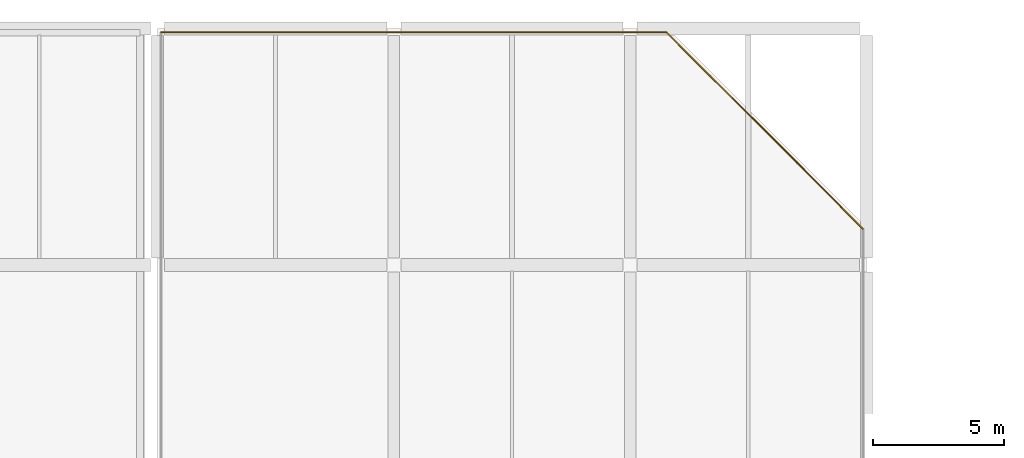
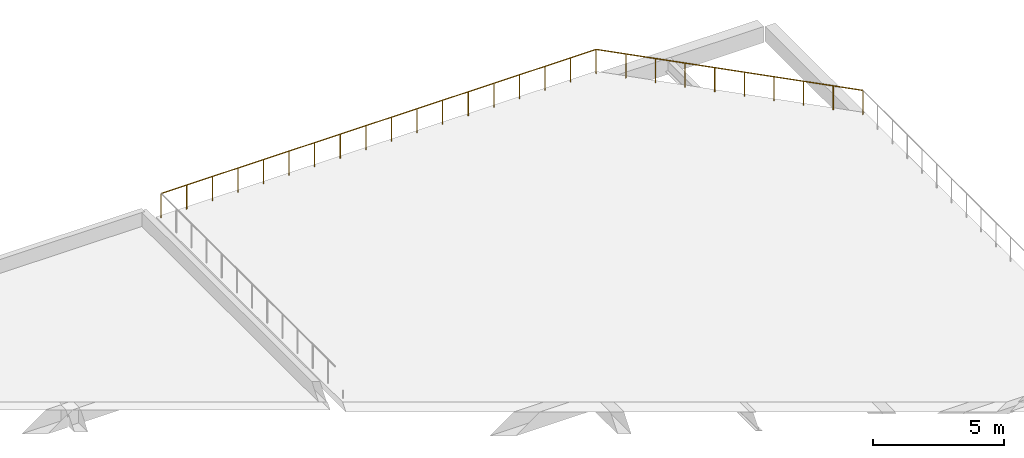
# One storey, part 82 of 82: 2 railings.
"""IFC4 building model written with IfcOpenShell, lengths in metres."""

from ifc_helpers import new_model, si_unit, direction, frame, origin, origin_2d, place, context, subcontext, project, spatial, circle, extrude, material, type_object, element, save


model = new_model("IFC4")

# Units and contexts
model_context = context("Model", 3, precision=1e-05, world=origin(), true_north=direction((0.0, 1.0)))
body_context = subcontext(model_context, "Body", "Model", "MODEL_VIEW")
ifc_project = project(units=[si_unit("LENGTHUNIT", "METRE"), si_unit("AREAUNIT", "SQUARE_METRE"), si_unit("VOLUMEUNIT", "CUBIC_METRE"), si_unit("PLANEANGLEUNIT", "RADIAN"), si_unit("MASSUNIT", "GRAM", prefix="KILO"), si_unit("THERMODYNAMICTEMPERATUREUNIT", "KELVIN"), si_unit("POWERUNIT", "WATT")], contexts=[model_context])

# Site, building, storey
site_placement = place(None, origin())
site = spatial("IfcSite", under=ifc_project, at=site_placement, CompositionType="ELEMENT")
building_placement = place(site_placement, origin())
building = spatial("IfcBuilding", under=site, at=building_placement, Name="Sindhuravela Promenade Stadium", CompositionType="ELEMENT")
storey_placement = place(building_placement, frame((0.0, 0.0, 14.39990234375)))
storey = spatial("IfcBuildingStorey", under=building, at=storey_placement, Name="L03", CompositionType="ELEMENT", Elevation=14.39990234375)

# Railings
ifc_material = material(Name="Architectural wrought steel E350", Category="steel")
railing_type = type_object("IfcRailingType", Name="RL-BAL-1150", PredefinedType="BALUSTRADE", material=ifc_material)
railing_1_placement = place(storey_placement, frame((180.139892578125, 152.860107421875, 0.0)))
element("IfcRailing", 1, at=railing_1_placement, inside=storey, type_object=railing_type, Name="Terrace wrought balustrade BL01-26", PredefinedType="BALUSTRADE", context=body_context, shape_type="SweptSolid", body=[
    extrude(circle(Radius=0.02392578125, at=origin_2d()), frame((0.0, 0.0, 1.1259765625), z_axis=(1.0, 0.0, 0.0), x_axis=(0.0, 1.0, 0.0)), (0.0, 0.0, 1.0), 19.2421875),
    extrude(circle(Radius=0.02099609375, at=origin_2d()), origin(), (0.0, 0.0, 1.0), 1.101806640625),
    extrude(circle(Radius=0.02099609375, at=origin_2d()), frame((1.1318359375, 0.0, 0.0)), (0.0, 0.0, 1.0), 1.101806640625),
    extrude(circle(Radius=0.02099609375, at=origin_2d()), frame((2.263671875, 0.0, 0.0)), (0.0, 0.0, 1.0), 1.101806640625),
    extrude(circle(Radius=0.02099609375, at=origin_2d()), frame((3.395751953125, 0.0, 0.0)), (0.0, 0.0, 1.0), 1.101806640625),
    extrude(circle(Radius=0.02099609375, at=origin_2d()), frame((4.527587890625, 0.0, 0.0)), (0.0, 0.0, 1.0), 1.101806640625),
    extrude(circle(Radius=0.02099609375, at=origin_2d()), frame((5.659423828125, 0.0, 0.0)), (0.0, 0.0, 1.0), 1.101806640625),
    extrude(circle(Radius=0.02099609375, at=origin_2d()), frame((6.791259765625, 0.0, 0.0)), (0.0, 0.0, 1.0), 1.101806640625),
    extrude(circle(Radius=0.02099609375, at=origin_2d()), frame((7.92333984375, 0.0, 0.0)), (0.0, 0.0, 1.0), 1.101806640625),
    extrude(circle(Radius=0.02099609375, at=origin_2d()), frame((9.05517578125, 0.0, 0.0)), (0.0, 0.0, 1.0), 1.101806640625),
    extrude(circle(Radius=0.02099609375, at=origin_2d()), frame((10.18701171875, 0.0, 0.0)), (0.0, 0.0, 1.0), 1.101806640625),
    extrude(circle(Radius=0.02099609375, at=origin_2d()), frame((11.31884765625, 0.0, 0.0)), (0.0, 0.0, 1.0), 1.101806640625),
    extrude(circle(Radius=0.02099609375, at=origin_2d()), frame((12.450927734375, 0.0, 0.0)), (0.0, 0.0, 1.0), 1.101806640625),
    extrude(circle(Radius=0.02099609375, at=origin_2d()), frame((13.582763671875, 0.0, 0.0)), (0.0, 0.0, 1.0), 1.101806640625),
    extrude(circle(Radius=0.02099609375, at=origin_2d()), frame((14.714599609375, 0.0, 0.0)), (0.0, 0.0, 1.0), 1.101806640625),
    extrude(circle(Radius=0.02099609375, at=origin_2d()), frame((15.846435546875, 0.0, 0.0)), (0.0, 0.0, 1.0), 1.101806640625),
    extrude(circle(Radius=0.02099609375, at=origin_2d()), frame((16.978515625, 0.0, 0.0)), (0.0, 0.0, 1.0), 1.101806640625),
    extrude(circle(Radius=0.02099609375, at=origin_2d()), frame((18.1103515625, 0.0, 0.0)), (0.0, 0.0, 1.0), 1.101806640625),
    extrude(circle(Radius=0.02099609375, at=origin_2d()), frame((19.2421875, 0.0, 0.0)), (0.0, 0.0, 1.0), 1.101806640625),
])
railing_2_placement = place(storey_placement, frame((199.382080078125, 152.860107421875, 0.0)))
element("IfcRailing", 2, at=railing_2_placement, inside=storey, type_object=railing_type, Name="Terrace wrought balustrade BL01-27", PredefinedType="BALUSTRADE", context=body_context, shape_type="SweptSolid", body=[
    extrude(circle(Radius=0.02392578125, at=origin_2d()), frame((0.0, 0.0, 1.1259765625), z_axis=(0.7071067811865475, -0.7071067811865475, 0.0), x_axis=(0.7071067811865476, 0.7071067811865476, 0.0)), (0.0, 0.0, 1.0), 10.575439453125),
    extrude(circle(Radius=0.02099609375, at=origin_2d()), origin(), (0.0, 0.0, 1.0), 1.101806640625),
    extrude(circle(Radius=0.02099609375, at=origin_2d()), frame((0.830810546875, -0.830810546875, 0.0)), (0.0, 0.0, 1.0), 1.101806640625),
    extrude(circle(Radius=0.02099609375, at=origin_2d()), frame((1.661865234375, -1.661865234375, 0.0)), (0.0, 0.0, 1.0), 1.101806640625),
    extrude(circle(Radius=0.02099609375, at=origin_2d()), frame((2.49267578125, -2.49267578125, 0.0)), (0.0, 0.0, 1.0), 1.101806640625),
    extrude(circle(Radius=0.02099609375, at=origin_2d()), frame((3.323486328125, -3.323486328125, 0.0)), (0.0, 0.0, 1.0), 1.101806640625),
    extrude(circle(Radius=0.02099609375, at=origin_2d()), frame((4.154541015625, -4.154541015625, 0.0)), (0.0, 0.0, 1.0), 1.101806640625),
    extrude(circle(Radius=0.02099609375, at=origin_2d()), frame((4.9853515625, -4.9853515625, 0.0)), (0.0, 0.0, 1.0), 1.101806640625),
    extrude(circle(Radius=0.02099609375, at=origin_2d()), frame((5.816162109375, -5.816162109375, 0.0)), (0.0, 0.0, 1.0), 1.101806640625),
    extrude(circle(Radius=0.02099609375, at=origin_2d()), frame((6.647216796875, -6.647216796875, 0.0)), (0.0, 0.0, 1.0), 1.101806640625),
    extrude(circle(Radius=0.02099609375, at=origin_2d()), frame((7.47802734375, -7.47802734375, 0.0)), (0.0, 0.0, 1.0), 1.101806640625),
])

save(model, "model.ifc")
